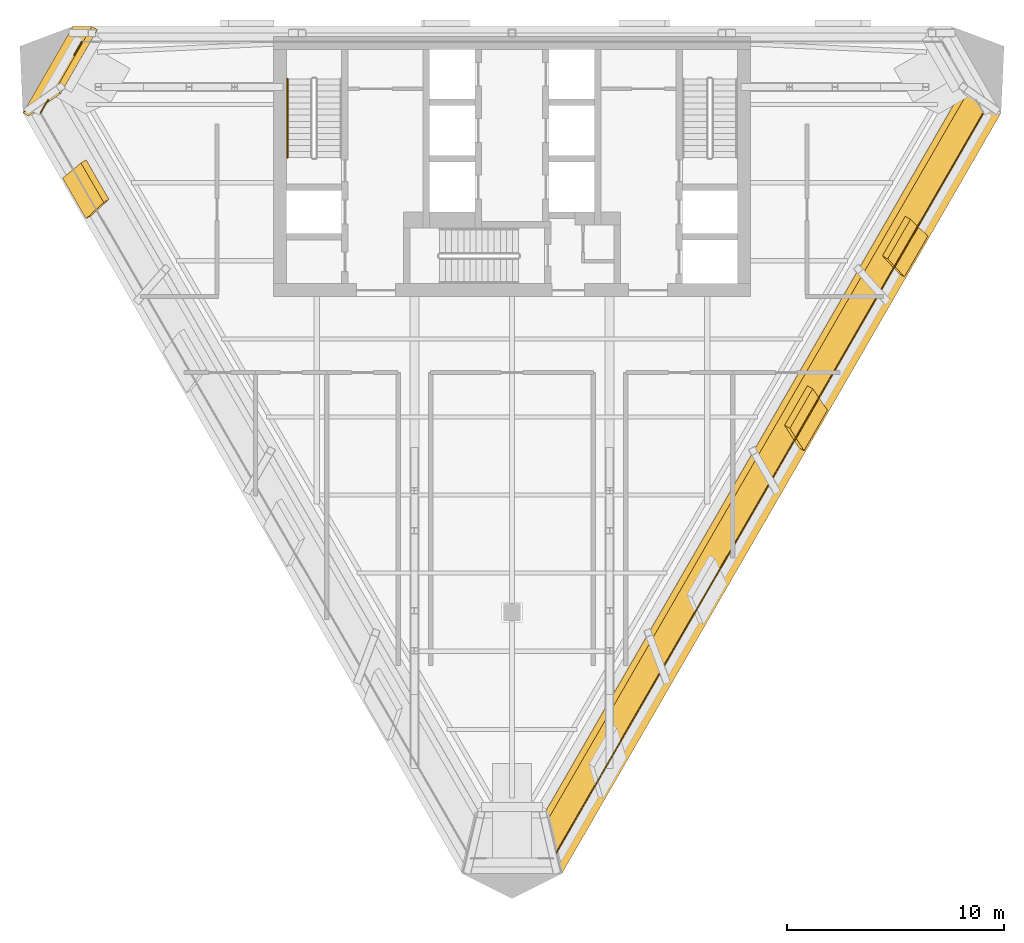
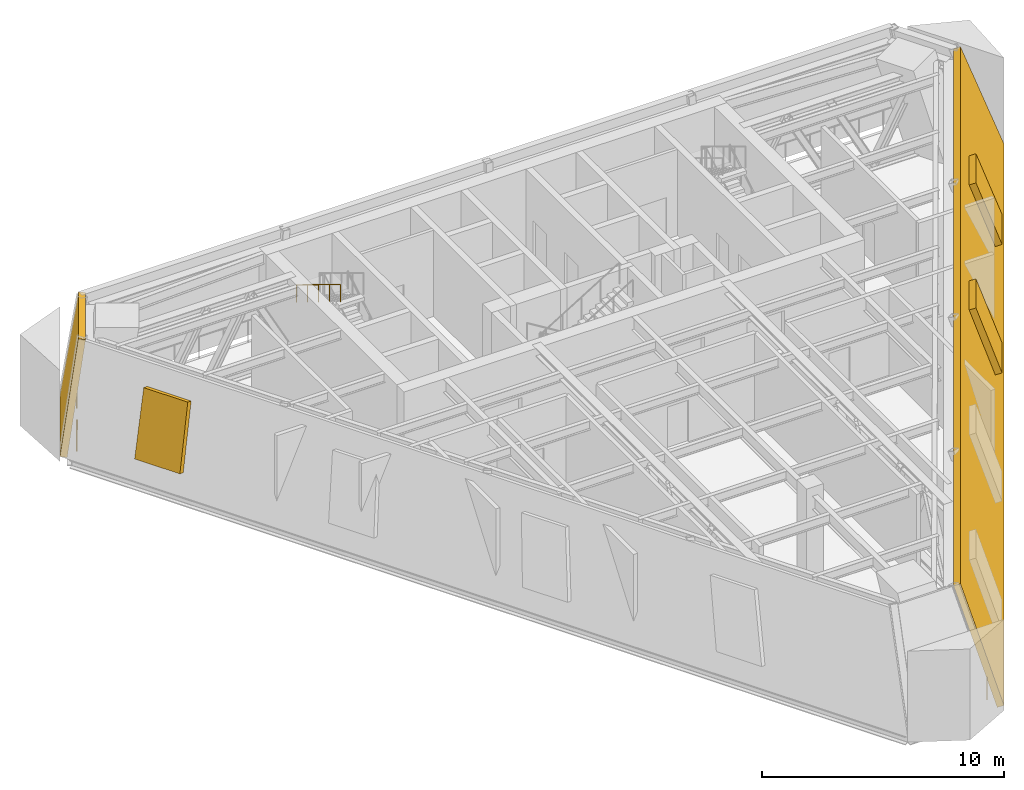
# One storey, part 8 of 11: 4 railings, 3 shading devices, 2 coverings.
"""IFC4 building model written with IfcOpenShell, lengths in metres."""

from ifc_helpers import new_model, si_unit, direction, frame, origin, origin_2d, place, context, subcontext, project, spatial, polyline, circle, outline, extrude, material, layer, layer_set, type_object, element, save


model = new_model("IFC4")

# Units and contexts
model_context = context("Model", 3, precision=1e-05, world=origin(), true_north=direction((0.0, 1.0)))
body_context = subcontext(model_context, "Body", "Model", "MODEL_VIEW")
ifc_project = project(units=[si_unit("LENGTHUNIT", "METRE"), si_unit("AREAUNIT", "SQUARE_METRE"), si_unit("VOLUMEUNIT", "CUBIC_METRE"), si_unit("PLANEANGLEUNIT", "RADIAN"), si_unit("MASSUNIT", "GRAM", prefix="KILO")], contexts=[model_context])

# Site, building, storey
site_placement = place(None, origin())
site = spatial("IfcSite", under=ifc_project, at=site_placement, CompositionType="ELEMENT")
building_placement = place(site_placement, origin())
building = spatial("IfcBuilding", under=site, at=building_placement, Name="Aloe Facet Convention Tower", CompositionType="ELEMENT")
storey_placement = place(building_placement, frame((0.0, 0.0, 175.39990234375)))
storey = spatial("IfcBuildingStorey", under=building, at=storey_placement, Name="L44", CompositionType="ELEMENT", Elevation=175.39990234375)

# Railing
ifc_material_1 = material(Name="Steel S355 handrail", Category="steel")
railing_type_1 = type_object("IfcRailingType", Name="CR-RL-HAND", PredefinedType="HANDRAIL", material=ifc_material_1)
railing_1_placement = place(storey_placement, frame((69.64990234375, 132.590087890625, 2.571533203125)))
element("IfcRailing", 1, at=railing_1_placement, inside=storey, type_object=railing_type_1, Name="L44 ST1 stair handrail 2", PredefinedType="HANDRAIL", context=body_context, shape_type="SweptSolid", body=[
    extrude(circle(Radius=0.02392578125, at=origin_2d()), frame((0.0, 0.0, 0.8759765625), z_axis=(0.0, -0.852865859571, 0.52213008492), x_axis=(1.0, 0.0, 0.0)), (0.0, 0.0, 1.0), 4.26806640625),
    extrude(circle(Radius=0.02099609375, at=origin_2d()), origin(), (0.0, 0.0, 1.0), 0.851806640625),
    extrude(circle(Radius=0.02099609375, at=origin_2d()), frame((0.0, -0.91015625, 0.55712890625)), (0.0, 0.0, 1.0), 0.851806640625),
    extrude(circle(Radius=0.02099609375, at=origin_2d()), frame((0.0, -1.820068359375, 1.1142578125)), (0.0, 0.0, 1.0), 0.851806640625),
    extrude(circle(Radius=0.02099609375, at=origin_2d()), frame((0.0, -2.72998046875, 1.67138671875)), (0.0, 0.0, 1.0), 0.851806640625),
    extrude(circle(Radius=0.02099609375, at=origin_2d()), frame((0.0, -3.64013671875, 2.228515625)), (0.0, 0.0, 1.0), 0.851806640625),
])

# Coverings
ifc_material_2 = material(Name="Granite cladding, bronze anchors", Category="masonry")
ifc_layer_1 = layer(ifc_material_2, 0.300048828125)
ifc_layer_set_1 = layer_set([ifc_layer_1], Name="EV-CLAD-STONE")
covering_type = type_object("IfcCoveringType", Name="EV-CLAD-STONE", PredefinedType="CLADDING", material=ifc_layer_set_1)
covering_1_placement = place(storey_placement, frame((59.7568359375, 135.0, 0.0), z_axis=(-0.855348238169, 0.493834150897, 0.156547829334), x_axis=(-0.499998365222, -0.866026347612, 4.249486e-06)))
element("IfcCovering", 2, at=covering_1_placement, inside=storey, type_object=covering_type, Name="CLADDING L44-A", PredefinedType="CLADDING", context=body_context, shape_type="SweptSolid", body=[
    extrude(outline(polyline([(0.0, 0.0), (4.599838016203043, 5.551115123125783e-17), (2.9608695865867585, 4.859957683348406), (-0.4393092205294515, 4.859992103697565), (0.0, 0.0)])), origin(), (0.0, 0.0, -1.0), 0.300048828125),
])
covering_2_placement = place(storey_placement, frame((82.300048828125, 95.954345703125, 0.0), z_axis=(0.810893666148, -0.468169340988, 0.351096753559), x_axis=(0.499999440208, 0.86602572698, 8.96438e-07)))
element("IfcCovering", 3, at=covering_2_placement, inside=storey, type_object=covering_type, Name="CLADDING L44-E", PredefinedType="CLADDING", context=body_context, shape_type="SweptSolid", body=[
    extrude(outline(polyline([(0.0, 0.0), (40.48605281721745, -8.881784197001252e-16), (40.646777062442894, 5.126360689526033), (1.917455279641038, 5.126436529245663), (0.0, 0.0)])), origin(), (0.0, 0.0, -1.0), 0.300048828125),
])

# Railings
ifc_material_3 = material(Name="Steel S355", Category="steel")
railing_type_2 = type_object("IfcRailingType", Name="EV-GUARD-PORTAL", PredefinedType="GUARDRAIL", material=ifc_material_3)
railing_2_placement = place(storey_placement, frame((101.73486328125, 131.016357421875, 0.0)))
element("IfcRailing", 4, at=railing_2_placement, inside=storey, type_object=railing_type_2, Name="GUARD L44-3", PredefinedType="GUARDRAIL", context=body_context, shape_type="SweptSolid", body=[
    extrude(circle(Radius=0.02392578125, at=origin_2d()), frame((0.0, 0.0, 1.076171875), z_axis=(-0.500003145725, -0.866023587592, 0.0), x_axis=(0.866023587592, -0.500003145725, 0.0)), (0.0, 0.0, 1.0), 39.677978515625),
    extrude(circle(Radius=0.02099609375, at=origin_2d()), origin(), (0.0, 0.0, 1.0), 1.052001953125),
    extrude(circle(Radius=0.02099609375, at=origin_2d()), frame((-0.58349609375, -1.0107421875, 0.0)), (0.0, 0.0, 1.0), 1.052001953125),
    extrude(circle(Radius=0.02099609375, at=origin_2d()), frame((-1.1669921875, -2.021240234375, 0.0)), (0.0, 0.0, 1.0), 1.052001953125),
    extrude(circle(Radius=0.02099609375, at=origin_2d()), frame((-1.75048828125, -3.031982421875, 0.0)), (0.0, 0.0, 1.0), 1.052001953125),
    extrude(circle(Radius=0.02099609375, at=origin_2d()), frame((-2.333984375, -4.04248046875, 0.0)), (0.0, 0.0, 1.0), 1.052001953125),
    extrude(circle(Radius=0.02099609375, at=origin_2d()), frame((-2.91748046875, -5.05322265625, 0.0)), (0.0, 0.0, 1.0), 1.052001953125),
    extrude(circle(Radius=0.02099609375, at=origin_2d()), frame((-3.5009765625, -6.06396484375, 0.0)), (0.0, 0.0, 1.0), 1.052001953125),
    extrude(circle(Radius=0.02099609375, at=origin_2d()), frame((-4.08447265625, -7.074462890625, 0.0)), (0.0, 0.0, 1.0), 1.052001953125),
    extrude(circle(Radius=0.02099609375, at=origin_2d()), frame((-4.66796875, -8.085205078125, 0.0)), (0.0, 0.0, 1.0), 1.052001953125),
    extrude(circle(Radius=0.02099609375, at=origin_2d()), frame((-5.25146484375, -9.095947265625, 0.0)), (0.0, 0.0, 1.0), 1.052001953125),
    extrude(circle(Radius=0.02099609375, at=origin_2d()), frame((-5.8349609375, -10.1064453125, 0.0)), (0.0, 0.0, 1.0), 1.052001953125),
    extrude(circle(Radius=0.02099609375, at=origin_2d()), frame((-6.41845703125, -11.1171875, 0.0)), (0.0, 0.0, 1.0), 1.052001953125),
    extrude(circle(Radius=0.02099609375, at=origin_2d()), frame((-7.001953125, -12.127685546875, 0.0)), (0.0, 0.0, 1.0), 1.052001953125),
    extrude(circle(Radius=0.02099609375, at=origin_2d()), frame((-7.58544921875, -13.138427734375, 0.0)), (0.0, 0.0, 1.0), 1.052001953125),
    extrude(circle(Radius=0.02099609375, at=origin_2d()), frame((-8.1689453125, -14.149169921875, 0.0)), (0.0, 0.0, 1.0), 1.052001953125),
    extrude(circle(Radius=0.02099609375, at=origin_2d()), frame((-8.75244140625, -15.15966796875, 0.0)), (0.0, 0.0, 1.0), 1.052001953125),
    extrude(circle(Radius=0.02099609375, at=origin_2d()), frame((-9.3359375, -16.17041015625, 0.0)), (0.0, 0.0, 1.0), 1.052001953125),
    extrude(circle(Radius=0.02099609375, at=origin_2d()), frame((-9.91943359375, -17.18115234375, 0.0)), (0.0, 0.0, 1.0), 1.052001953125),
    extrude(circle(Radius=0.02099609375, at=origin_2d()), frame((-10.503173828125, -18.191650390625, 0.0)), (0.0, 0.0, 1.0), 1.052001953125),
    extrude(circle(Radius=0.02099609375, at=origin_2d()), frame((-11.086669921875, -19.202392578125, 0.0)), (0.0, 0.0, 1.0), 1.052001953125),
    extrude(circle(Radius=0.02099609375, at=origin_2d()), frame((-11.670166015625, -20.212890625, 0.0)), (0.0, 0.0, 1.0), 1.052001953125),
    extrude(circle(Radius=0.02099609375, at=origin_2d()), frame((-12.253662109375, -21.2236328125, 0.0)), (0.0, 0.0, 1.0), 1.052001953125),
    extrude(circle(Radius=0.02099609375, at=origin_2d()), frame((-12.837158203125, -22.234375, 0.0)), (0.0, 0.0, 1.0), 1.052001953125),
    extrude(circle(Radius=0.02099609375, at=origin_2d()), frame((-13.420654296875, -23.244873046875, 0.0)), (0.0, 0.0, 1.0), 1.052001953125),
    extrude(circle(Radius=0.02099609375, at=origin_2d()), frame((-14.004150390625, -24.255615234375, 0.0)), (0.0, 0.0, 1.0), 1.052001953125),
    extrude(circle(Radius=0.02099609375, at=origin_2d()), frame((-14.587646484375, -25.26611328125, 0.0)), (0.0, 0.0, 1.0), 1.052001953125),
    extrude(circle(Radius=0.02099609375, at=origin_2d()), frame((-15.171142578125, -26.27685546875, 0.0)), (0.0, 0.0, 1.0), 1.052001953125),
    extrude(circle(Radius=0.02099609375, at=origin_2d()), frame((-15.754638671875, -27.28759765625, 0.0)), (0.0, 0.0, 1.0), 1.052001953125),
    extrude(circle(Radius=0.02099609375, at=origin_2d()), frame((-16.338134765625, -28.298095703125, 0.0)), (0.0, 0.0, 1.0), 1.052001953125),
    extrude(circle(Radius=0.02099609375, at=origin_2d()), frame((-16.921630859375, -29.308837890625, 0.0)), (0.0, 0.0, 1.0), 1.052001953125),
    extrude(circle(Radius=0.02099609375, at=origin_2d()), frame((-17.505126953125, -30.319580078125, 0.0)), (0.0, 0.0, 1.0), 1.052001953125),
    extrude(circle(Radius=0.02099609375, at=origin_2d()), frame((-18.088623046875, -31.330078125, 0.0)), (0.0, 0.0, 1.0), 1.052001953125),
    extrude(circle(Radius=0.02099609375, at=origin_2d()), frame((-18.672119140625, -32.3408203125, 0.0)), (0.0, 0.0, 1.0), 1.052001953125),
    extrude(circle(Radius=0.02099609375, at=origin_2d()), frame((-19.255615234375, -33.351318359375, 0.0)), (0.0, 0.0, 1.0), 1.052001953125),
    extrude(circle(Radius=0.02099609375, at=origin_2d()), frame((-19.839111328125, -34.362060546875, 0.0)), (0.0, 0.0, 1.0), 1.052001953125),
])
railing_3_placement = place(storey_placement, frame((58.26513671875, 131.016357421875, 0.0)))
element("IfcRailing", 5, at=railing_3_placement, inside=storey, type_object=railing_type_2, Name="GUARD L44-7", PredefinedType="GUARDRAIL", context=body_context, shape_type="SweptSolid", body=[
    extrude(circle(Radius=0.02392578125, at=origin_2d()), frame((0.0, 0.0, 1.076171875), z_axis=(0.500026194733, 0.86601027972, 0.0), x_axis=(-0.86601027972, 0.500026194733, 0.0)), (0.0, 0.0, 1.0), 0.69580078125),
    extrude(circle(Radius=0.02099609375, at=origin_2d()), origin(), (0.0, 0.0, 1.0), 1.052001953125),
    extrude(circle(Radius=0.02099609375, at=origin_2d()), frame((0.347900390625, 0.6025390625, 0.0)), (0.0, 0.0, 1.0), 1.052001953125),
])
railing_4_placement = place(storey_placement, frame((59.813232421875, 133.697265625, 0.0)))
element("IfcRailing", 6, at=railing_4_placement, inside=storey, type_object=railing_type_2, Name="GUARD L44-8", PredefinedType="GUARDRAIL", context=body_context, shape_type="SweptSolid", body=[
    extrude(circle(Radius=0.02392578125, at=origin_2d()), frame((0.0, 0.0, 1.076171875), z_axis=(0.499874285655, 0.86609797283, 0.0), x_axis=(-0.86609797283, 0.499874285655, 0.0)), (0.0, 0.0, 1.0), 0.696044921875),
    extrude(circle(Radius=0.02099609375, at=origin_2d()), origin(), (0.0, 0.0, 1.0), 1.052001953125),
    extrude(circle(Radius=0.02099609375, at=origin_2d()), frame((0.347900390625, 0.602783203125, 0.0)), (0.0, 0.0, 1.0), 1.052001953125),
])

# Shading devices
ifc_material_4 = material(Name="Aluminium, anodised", Category="aluminium")
ifc_layer_2 = layer(ifc_material_4, 0.300048828125)
ifc_layer_set_2 = layer_set([ifc_layer_2], Name="EV-LOUVRE-BELT")
shading_device_type = type_object("IfcShadingDeviceType", Name="EV-LOUVRE-BELT", PredefinedType="JALOUSIE", material=ifc_layer_set_2)
shading_device_1_placement = place(storey_placement, frame((59.284423828125, 128.009033203125, 1.0654296875), z_axis=(-0.810865406655, -0.468190363023, 0.351133986196), x_axis=(0.500026327346, -0.866010203091, -1.0195837e-05)))
element("IfcShadingDevice", 7, at=shading_device_1_placement, inside=storey, type_object=shading_device_type, Name="LOUVRE L44-W02", PredefinedType="JALOUSIE", context=body_context, shape_type="SweptSolid", body=[
    extrude(outline(polyline([(0.0, 0.0), (2.1611207865540685, 0.0), (1.9147730873474538, 3.076010775338614), (-0.18947828636569072, 3.075964328826677), (0.0, 0.0)])), origin(), (0.0, 0.0, -1.0), 0.300048828125),
])
shading_device_2_placement = place(storey_placement, frame((93.46044921875, 115.442626953125, 1.0654296875), z_axis=(0.810934149323, -0.468091921234, 0.351106477778), x_axis=(0.499918877983, 0.866072234537, 3.59277e-07)))
element("IfcShadingDevice", 8, at=shading_device_2_placement, inside=storey, type_object=shading_device_type, Name="LOUVRE L44-E08", PredefinedType="JALOUSIE", context=body_context, shape_type="SweptSolid", body=[
    extrude(outline(polyline([(0.0, 0.0), (2.1609987268154787, 0.0), (2.675329081782273, 3.0759550102763105), (0.5709883405595643, 3.0759566469086925), (0.0, 0.0)])), origin(), (0.0, 0.0, -1.0), 0.300048828125),
])
shading_device_3_placement = place(storey_placement, frame((98.09130859375, 123.463623046875, 1.0654296875), z_axis=(0.810902635964, -0.468127323055, 0.351132061191), x_axis=(0.499966963438, 0.866044476473, -1.55102e-05)))
element("IfcShadingDevice", 9, at=shading_device_3_placement, inside=storey, type_object=shading_device_type, Name="LOUVRE L44-E11", PredefinedType="JALOUSIE", context=body_context, shape_type="SweptSolid", body=[
    extrude(outline(polyline([(0.0, 0.0), (2.161120785356782, 0.0), (2.4319665887827004, 3.0760278390846696), (0.32762585090965657, 3.075957181892533), (0.0, 0.0)])), origin(), (0.0, 0.0, -1.0), 0.300048828125),
])

save(model, "model.ifc")
